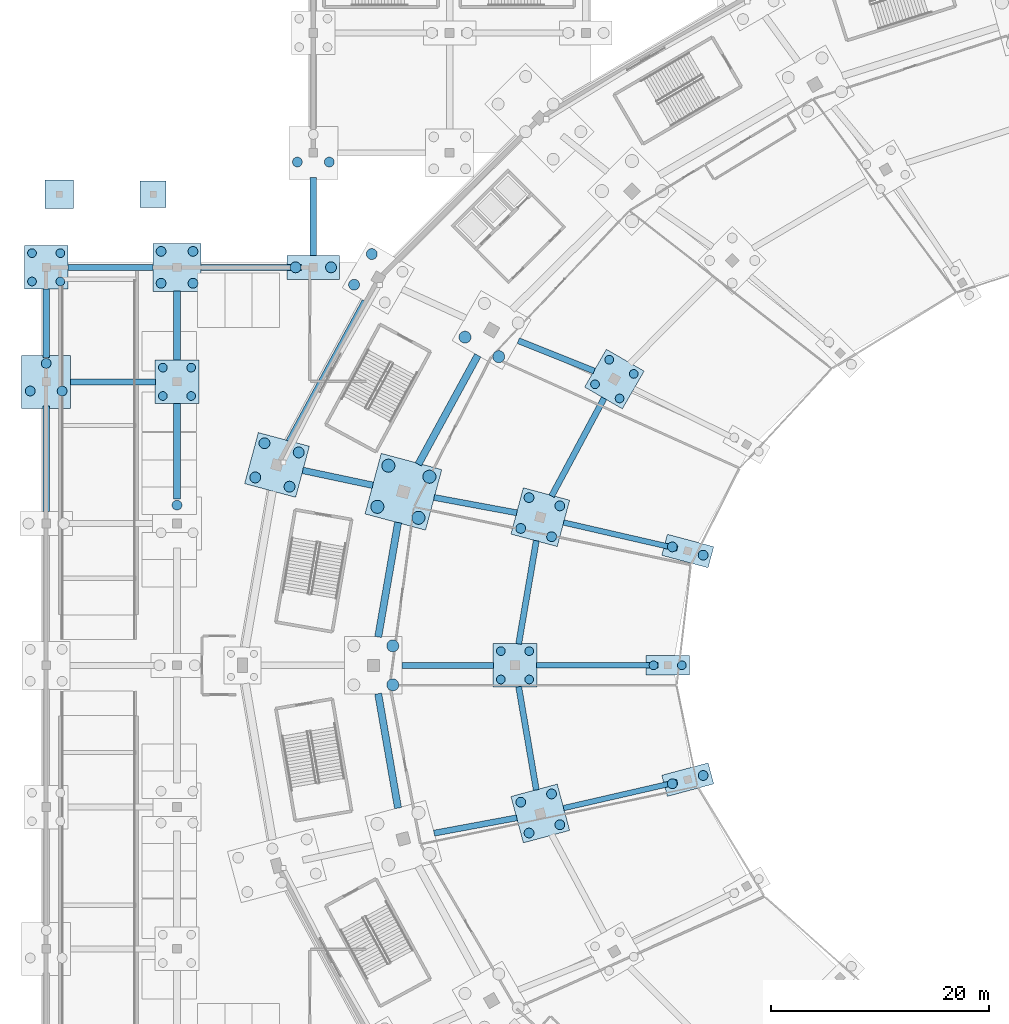
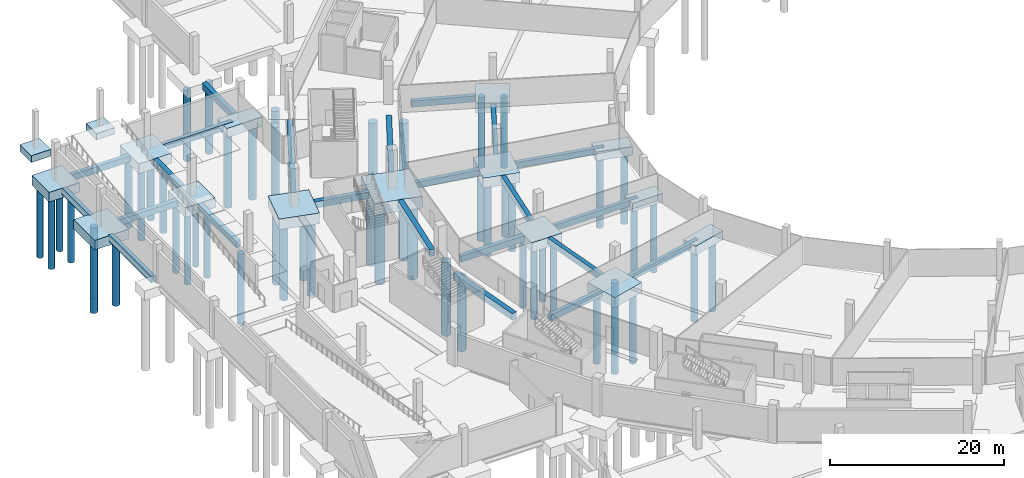
# One storey, part 4 of 74: 56 piles, 39 footings.
"""IFC4 building model written with IfcOpenShell, lengths in metres."""

from ifc_helpers import new_model, si_unit, direction, frame, origin, origin_2d, place, context, subcontext, project, spatial, polyline, rectangle, circle, outline, extrude, material, material_profile, profile_set, type_object, element, save


model = new_model("IFC4")

# Units and contexts
model_context = context("Model", 3, precision=1e-05, world=origin(), true_north=direction((0.0, 1.0)))
body_context = subcontext(model_context, "Body", "Model", "MODEL_VIEW")
ifc_project = project(units=[si_unit("LENGTHUNIT", "METRE"), si_unit("AREAUNIT", "SQUARE_METRE"), si_unit("VOLUMEUNIT", "CUBIC_METRE"), si_unit("PLANEANGLEUNIT", "RADIAN"), si_unit("MASSUNIT", "GRAM", prefix="KILO")], contexts=[model_context])

# Site, building, storey
site_placement = place(None, origin())
site = spatial("IfcSite", under=ifc_project, at=site_placement, CompositionType="ELEMENT")
building_placement = place(site_placement, origin())
building = spatial("IfcBuilding", under=site, at=building_placement, Name="Zlatoyarsky Gate Stadium", CompositionType="ELEMENT")
storey_placement = place(building_placement, frame((0.0, 0.0, -5.39990234375)))
storey = spatial("IfcBuildingStorey", under=building, at=storey_placement, Name="B1", CompositionType="ELEMENT", Elevation=-5.39990234375)

# Piles
ifc_material = material(Name="Concrete C35/45", Category="concrete")
ifc_material_profile_1 = material_profile(ifc_material, circle(Radius=0.5, at=origin_2d()), Name="BORED PILE D1000")
ifc_profile_set_1 = profile_set([ifc_material_profile_1], Name="Concrete C35/45")
pile_type_1 = type_object("IfcPileType", Name="CONCRETE BORED PILE D1000", PredefinedType="BORED", material=ifc_profile_set_1)
for number, where, z_axis, x_axis, name in (
    (1, (29.86474609375, 117.7197265625, -1.400146484375), (0.0, 0.0, -1.0), (1.0, 0.0, 0.0), "Pile 2 under RC-10"),
    (2, (28.23974609375, 114.9052734375, -1.400146484375), (0.0, 0.0, -1.0), (1.0, 0.0, 0.0), "Pile 4 under RC-10"),
    (3, (23.1591796875, 99.525146484375, -1.400146484375), (0.0, 0.0, -1.0), (1.0, 0.0, 0.0), "Pile 1 under RC-11"),
    (4, (20.02001953125, 100.366455078125, -1.400146484375), (0.0, 0.0, -1.0), (1.0, 0.0, 0.0), "Pile 2 under RC-11"),
    (5, (22.31787109375, 96.385986328125, -1.400146484375), (0.0, 0.0, -1.0), (1.0, 0.0, 0.0), "Pile 3 under RC-11"),
    (6, (19.1787109375, 97.227294921875, -1.400146484375), (0.0, 0.0, -1.0), (1.0, 0.0, 0.0), "Pile 4 under RC-11"),
):
    element("IfcPile", number, at=place(storey_placement, frame(where, z_axis=z_axis, x_axis=x_axis)), inside=storey, type_object=pile_type_1, Name=name, PredefinedType="BORED", context=body_context, shape_type="SweptSolid", body=[
        extrude(circle(Radius=0.5, at=origin_2d()), origin(), (0.0, 0.0, 1.0), 10.39990234375),
    ])
for number, where, z_axis, x_axis, name in (
    (7, (22.875, 116.5, -1.2001953125), (0.0, 0.0, -1.0), (1.0, 0.0, 0.0), "Pile 1 under WG-3-L"),
    (8, (26.125, 116.5, -1.2001953125), (0.0, 0.0, -1.0), (1.0, 0.0, 0.0), "Pile 2 under WG-3-L"),
):
    element("IfcPile", number, at=place(storey_placement, frame(where, z_axis=z_axis, x_axis=x_axis)), inside=storey, type_object=pile_type_1, Name=name, PredefinedType="BORED", context=body_context, shape_type="SweptSolid", body=[
        extrude(circle(Radius=0.5, at=origin_2d()), origin(), (0.0, 0.0, 1.0), 10.60009765625),
    ])
ifc_material_profile_2 = material_profile(ifc_material, circle(Radius=0.550048828125, at=origin_2d()), Name="BORED PILE D1100")
ifc_profile_set_2 = profile_set([ifc_material_profile_2], Name="Concrete C35/45")
pile_type_2 = type_object("IfcPileType", Name="CONCRETE BORED PILE D1100", PredefinedType="BORED", material=ifc_profile_set_2)
for number, where, z_axis, x_axis, name in (
    (9, (41.506103515625, 108.30810546875, -1.4501953125), (0.0, 0.0, -1.0), (1.0, 0.0, 0.0), "Pile 3 under RB-10"),
    (10, (38.41015625, 110.095703125, -1.4501953125), (0.0, 0.0, -1.0), (1.0, 0.0, 0.0), "Pile 4 under RB-10"),
    (11, (31.78759765625, 81.78759765625, -1.4501953125), (0.0, 0.0, -1.0), (1.0, 0.0, 0.0), "Pile 1 under RB-12"),
    (12, (31.78759765625, 78.21240234375, -1.4501953125), (0.0, 0.0, -1.0), (1.0, 0.0, 0.0), "Pile 3 under RB-12"),
):
    element("IfcPile", number, at=place(storey_placement, frame(where, z_axis=z_axis, x_axis=x_axis)), inside=storey, type_object=pile_type_2, Name=name, PredefinedType="BORED", context=body_context, shape_type="SweptSolid", body=[
        extrude(circle(Radius=0.550048828125, at=origin_2d()), origin(), (0.0, 0.0, 1.0), 10.35009765625),
    ])
ifc_material_profile_3 = material_profile(ifc_material, circle(Radius=0.60009765625, at=origin_2d()), Name="BORED PILE D1200")
ifc_profile_set_3 = profile_set([ifc_material_profile_3], Name="Concrete C35/45")
pile_type_3 = type_object("IfcPileType", Name="CONCRETE BORED PILE D1200", PredefinedType="BORED", material=ifc_profile_set_3)
for number, where, z_axis, x_axis, name in (
    (13, (35.148193359375, 97.29638671875, -1.550048828125), (0.0, 0.0, -1.0), (1.0, 0.0, 0.0), "Pile 1 under RB-11"),
    (14, (31.381103515625, 98.3056640625, -1.550048828125), (0.0, 0.0, -1.0), (1.0, 0.0, 0.0), "Pile 2 under RB-11"),
    (15, (34.138916015625, 93.529052734375, -1.550048828125), (0.0, 0.0, -1.0), (1.0, 0.0, 0.0), "Pile 3 under RB-11"),
    (16, (30.37158203125, 94.53857421875, -1.550048828125), (0.0, 0.0, -1.0), (1.0, 0.0, 0.0), "Pile 4 under RB-11"),
):
    element("IfcPile", number, at=place(storey_placement, frame(where, z_axis=z_axis, x_axis=x_axis)), inside=storey, type_object=pile_type_3, Name=name, PredefinedType="BORED", context=body_context, shape_type="SweptSolid", body=[
        extrude(circle(Radius=0.60009765625, at=origin_2d()), origin(), (0.0, 0.0, 1.0), 10.25),
    ])
ifc_material_profile_4 = material_profile(ifc_material, circle(Radius=0.39990234375, at=origin_2d()), Name="BORED PILE D800")
ifc_profile_set_4 = profile_set([ifc_material_profile_4], Name="Concrete C35/45")
pile_type_4 = type_object("IfcPileType", Name="CONCRETE BORED PILE D800", PredefinedType="BORED", material=ifc_profile_set_4)
for number, where, z_axis, x_axis, name in (
    (17, (58.300048828125, 80.0, -1.10009765625), (0.0, 0.0, -1.0), (1.0, 0.0, 0.0), "Pile 1 under R0-12"),
    (18, (55.699951171875, 80.0, -1.10009765625), (0.0, 0.0, -1.0), (1.0, 0.0, 0.0), "Pile 2 under R0-12"),
):
    element("IfcPile", number, at=place(storey_placement, frame(where, z_axis=z_axis, x_axis=x_axis)), inside=storey, type_object=pile_type_4, Name=name, PredefinedType="BORED", context=body_context, shape_type="SweptSolid", body=[
        extrude(circle(Radius=0.39990234375, at=origin_2d()), origin(), (0.0, 0.0, 1.0), 10.10009765625),
    ])
for number, where, z_axis, x_axis, name in (
    (19, (53.885986328125, 106.725830078125, -1.25), (0.0, 0.0, -1.0), (1.0, 0.0, 0.0), "Pile 1 under RA-10"),
    (20, (51.634521484375, 108.02587890625, -1.25), (0.0, 0.0, -1.0), (1.0, 0.0, 0.0), "Pile 2 under RA-10"),
    (21, (52.586181640625, 104.47412109375, -1.25), (0.0, 0.0, -1.0), (1.0, 0.0, 0.0), "Pile 3 under RA-10"),
    (22, (50.33447265625, 105.774169921875, -1.25), (0.0, 0.0, -1.0), (1.0, 0.0, 0.0), "Pile 4 under RA-10"),
    (23, (44.300048828125, 81.300048828125, -1.25), (0.0, 0.0, -1.0), (1.0, 0.0, 0.0), "Pile 1 under RA-12"),
    (24, (41.699951171875, 81.300048828125, -1.25), (0.0, 0.0, -1.0), (1.0, 0.0, 0.0), "Pile 2 under RA-12"),
    (25, (44.300048828125, 78.699951171875, -1.25), (0.0, 0.0, -1.0), (1.0, 0.0, 0.0), "Pile 3 under RA-12"),
    (26, (41.699951171875, 78.699951171875, -1.25), (0.0, 0.0, -1.0), (1.0, 0.0, 0.0), "Pile 4 under RA-12"),
    (27, (-1.300048828125, 115.199951171875, -1.25), (0.0, 0.0, -1.0), (1.0, 0.0, 0.0), "Pile 1 under WG-1-L"),
    (28, (1.300048828125, 115.199951171875, -1.25), (0.0, 0.0, -1.0), (1.0, 0.0, 0.0), "Pile 2 under WG-1-L"),
    (29, (-1.300048828125, 117.800048828125, -1.25), (0.0, 0.0, -1.0), (1.0, 0.0, 0.0), "Pile 3 under WG-1-L"),
    (30, (1.300048828125, 117.800048828125, -1.25), (0.0, 0.0, -1.0), (1.0, 0.0, 0.0), "Pile 4 under WG-1-L"),
    (31, (10.699951171875, 104.699951171875, -1.25), (0.0, 0.0, -1.0), (1.0, 0.0, 0.0), "Pile 1 under WG-2-K"),
    (32, (13.300048828125, 104.699951171875, -1.25), (0.0, 0.0, -1.0), (1.0, 0.0, 0.0), "Pile 2 under WG-2-K"),
    (33, (10.699951171875, 107.300048828125, -1.25), (0.0, 0.0, -1.0), (1.0, 0.0, 0.0), "Pile 3 under WG-2-K"),
    (34, (13.300048828125, 107.300048828125, -1.25), (0.0, 0.0, -1.0), (1.0, 0.0, 0.0), "Pile 4 under WG-2-K"),
):
    element("IfcPile", number, at=place(storey_placement, frame(where, z_axis=z_axis, x_axis=x_axis)), inside=storey, type_object=pile_type_4, Name=name, PredefinedType="BORED", context=body_context, shape_type="SweptSolid", body=[
        extrude(circle(Radius=0.39990234375, at=origin_2d()), origin(), (0.0, 0.0, 1.0), 9.949951171875),
    ])
ifc_material_profile_5 = material_profile(ifc_material, circle(Radius=0.449951171875, at=origin_2d()), Name="BORED PILE D900")
ifc_profile_set_5 = profile_set([ifc_material_profile_5], Name="Concrete C35/45")
pile_type_5 = type_object("IfcPileType", Name="CONCRETE BORED PILE D900", PredefinedType="BORED", material=ifc_profile_set_5)
for number, where, z_axis, x_axis, name in (
    (35, (60.252685546875, 90.103759765625, -1.150146484375), (0.0, 0.0, -1.0), (1.0, 0.0, 0.0), "Pile 1 under R0-11"),
    (36, (57.42724609375, 90.860595703125, -1.150146484375), (0.0, 0.0, -1.0), (1.0, 0.0, 0.0), "Pile 2 under R0-11"),
    (37, (60.252685546875, 69.896240234375, -1.150146484375), (0.0, 0.0, -1.0), (1.0, 0.0, 0.0), "Pile 1 under R0-13"),
    (38, (57.42724609375, 69.139404296875, -1.150146484375), (0.0, 0.0, -1.0), (1.0, 0.0, 0.0), "Pile 2 under R0-13"),
):
    element("IfcPile", number, at=place(storey_placement, frame(where, z_axis=z_axis, x_axis=x_axis)), inside=storey, type_object=pile_type_5, Name=name, PredefinedType="BORED", context=body_context, shape_type="SweptSolid", body=[
        extrude(circle(Radius=0.449951171875, at=origin_2d()), origin(), (0.0, 0.0, 1.0), 10.050048828125),
    ])
for number, where, z_axis, x_axis, name in (
    (39, (47.108154296875, 94.6220703125, -1.300048828125), (0.0, 0.0, -1.0), (1.0, 0.0, 0.0), "Pile 1 under RA-11"),
    (40, (44.282958984375, 95.379150390625, -1.300048828125), (0.0, 0.0, -1.0), (1.0, 0.0, 0.0), "Pile 2 under RA-11"),
    (41, (46.35107421875, 91.796875, -1.300048828125), (0.0, 0.0, -1.0), (1.0, 0.0, 0.0), "Pile 3 under RA-11"),
    (42, (43.52587890625, 92.553955078125, -1.300048828125), (0.0, 0.0, -1.0), (1.0, 0.0, 0.0), "Pile 4 under RA-11"),
    (43, (46.35107421875, 68.203125, -1.300048828125), (0.0, 0.0, -1.0), (1.0, 0.0, 0.0), "Pile 1 under RA-13"),
    (44, (43.52587890625, 67.446044921875, -1.300048828125), (0.0, 0.0, -1.0), (1.0, 0.0, 0.0), "Pile 2 under RA-13"),
    (45, (47.108154296875, 65.3779296875, -1.300048828125), (0.0, 0.0, -1.0), (1.0, 0.0, 0.0), "Pile 3 under RA-13"),
    (46, (44.282958984375, 64.620849609375, -1.300048828125), (0.0, 0.0, -1.0), (1.0, 0.0, 0.0), "Pile 4 under RA-13"),
):
    element("IfcPile", number, at=place(storey_placement, frame(where, z_axis=z_axis, x_axis=x_axis)), inside=storey, type_object=pile_type_5, Name=name, PredefinedType="BORED", context=body_context, shape_type="SweptSolid", body=[
        extrude(circle(Radius=0.449951171875, at=origin_2d()), origin(), (0.0, 0.0, 1.0), 9.89990234375),
    ])
for number, where, z_axis, x_axis, name in (
    (47, (-1.46240234375, 105.15576171875, -1.25), (0.0, 0.0, -1.0), (1.0, 0.0, 0.0), "Pile 1 under WG-1-K"),
    (48, (1.46240234375, 105.15576171875, -1.25), (0.0, 0.0, -1.0), (1.0, 0.0, 0.0), "Pile 2 under WG-1-K"),
    (49, (0.0, 107.688720703125, -1.25), (0.0, 0.0, -1.0), (1.0, 0.0, 0.0), "Pile 3 under WG-1-K"),
    (50, (12.0, 94.688720703125, -1.25), (0.0, 0.0, -1.0), (1.0, 0.0, 0.0), "Pile 3 under WG-2-J"),
):
    element("IfcPile", number, at=place(storey_placement, frame(where, z_axis=z_axis, x_axis=x_axis)), inside=storey, type_object=pile_type_5, Name=name, PredefinedType="BORED", context=body_context, shape_type="SweptSolid", body=[
        extrude(circle(Radius=0.449951171875, at=origin_2d()), origin(), (0.0, 0.0, 1.0), 9.949951171875),
    ])
for number, where, z_axis, x_axis, name in (
    (51, (10.53759765625, 115.03759765625, -1.300048828125), (0.0, 0.0, -1.0), (1.0, 0.0, 0.0), "Pile 1 under WG-2-L"),
    (52, (13.46240234375, 115.03759765625, -1.300048828125), (0.0, 0.0, -1.0), (1.0, 0.0, 0.0), "Pile 2 under WG-2-L"),
    (53, (10.53759765625, 117.96240234375, -1.300048828125), (0.0, 0.0, -1.0), (1.0, 0.0, 0.0), "Pile 3 under WG-2-L"),
    (54, (13.46240234375, 117.96240234375, -1.300048828125), (0.0, 0.0, -1.0), (1.0, 0.0, 0.0), "Pile 4 under WG-2-L"),
):
    element("IfcPile", number, at=place(storey_placement, frame(where, z_axis=z_axis, x_axis=x_axis)), inside=storey, type_object=pile_type_5, Name=name, PredefinedType="BORED", context=body_context, shape_type="SweptSolid", body=[
        extrude(circle(Radius=0.449951171875, at=origin_2d()), origin(), (0.0, 0.0, 1.0), 9.89990234375),
    ])
for number, where, z_axis, x_axis, name in (
    (55, (23.03759765625, 126.15576171875, -1.25), (0.0, 0.0, -1.0), (1.0, 0.0, 0.0), "Pile 1 under WG-3-M"),
    (56, (25.96240234375, 126.15576171875, -1.25), (0.0, 0.0, -1.0), (1.0, 0.0, 0.0), "Pile 2 under WG-3-M"),
):
    element("IfcPile", number, at=place(storey_placement, frame(where, z_axis=z_axis, x_axis=x_axis)), inside=storey, type_object=pile_type_5, Name=name, PredefinedType="BORED", context=body_context, shape_type="SweptSolid", body=[
        extrude(circle(Radius=0.449951171875, at=origin_2d()), origin(), (0.0, 0.0, 1.0), 9.949951171875),
    ])

# Footings
ifc_material_profile_6 = material_profile(ifc_material, rectangle(XDim=0.5, YDim=0.800048828125, at=origin_2d()), Name="GB 500X800")
ifc_profile_set_6 = profile_set([ifc_material_profile_6], Name="Concrete C35/45")
footing_type_1 = type_object("IfcFootingType", Name="CONCRETE GROUND TIE BEAM 500X800", PredefinedType="STRIP_FOOTING", material=ifc_profile_set_6)
footing_1_placement = place(storey_placement, frame((0.0, 0.0, -0.800048828125)))
element("IfcFooting", 57, at=footing_1_placement, inside=storey, type_object=footing_type_1, Name="Ground tie beam GB-01 R0-11 to RA-11", PredefinedType="STRIP_FOOTING", context=body_context, shape_type="SweptSolid", body=[
    extrude(outline(polyline([(57.93115234375, 90.947509765625), (47.50732421875, 93.341552734375), (47.3955078125, 92.854248046875), (57.819091796875, 90.460205078125), (57.93115234375, 90.947509765625)])), origin(), (0.0, 0.0, 1.0), 0.800048828125),
])
footing_2_placement = place(storey_placement, frame((0.0, 0.0, -0.800048828125)))
element("IfcFooting", 58, at=footing_2_placement, inside=storey, type_object=footing_type_1, Name="Ground tie beam GB-01 R0-12 to RA-12", PredefinedType="STRIP_FOOTING", context=body_context, shape_type="SweptSolid", body=[
    extrude(outline(polyline([(56.110107421875, 80.25), (44.989990234375, 80.25), (44.989990234375, 79.75), (56.110107421875, 79.75), (56.110107421875, 80.25)])), origin(), (0.0, 0.0, 1.0), 0.800048828125),
])
footing_3_placement = place(storey_placement, frame((0.0, 0.0, -0.800048828125)))
element("IfcFooting", 59, at=footing_3_placement, inside=storey, type_object=footing_type_1, Name="Ground tie beam GB-01 R0-13 to RA-13", PredefinedType="STRIP_FOOTING", context=body_context, shape_type="SweptSolid", body=[
    extrude(outline(polyline([(57.819091796875, 69.539794921875), (47.3955078125, 67.145751953125), (47.50732421875, 66.658447265625), (57.93115234375, 69.052490234375), (57.819091796875, 69.539794921875)])), origin(), (0.0, 0.0, 1.0), 0.800048828125),
])
ifc_material_profile_7 = material_profile(ifc_material, rectangle(XDim=0.550048828125, YDim=0.85009765625, at=origin_2d()), Name="GB 550X850")
ifc_profile_set_7 = profile_set([ifc_material_profile_7], Name="Concrete C35/45")
footing_type_2 = type_object("IfcFootingType", Name="CONCRETE GROUND TIE BEAM 550X850", PredefinedType="STRIP_FOOTING", material=ifc_profile_set_7)
footing_4_placement = place(storey_placement, frame((0.0, 0.0, -0.85009765625)))
element("IfcFooting", 60, at=footing_4_placement, inside=storey, type_object=footing_type_2, Name="Ground tie beam GB-02 RA-10 to RB-10", PredefinedType="STRIP_FOOTING", context=body_context, shape_type="SweptSolid", body=[
    extrude(outline(polyline([(50.364501953125, 107.243896484375), (43.4052734375, 110.025634765625), (43.201171875, 109.514892578125), (50.160400390625, 106.733154296875), (50.364501953125, 107.243896484375)])), origin(), (0.0, 0.0, 1.0), 0.85009765625),
])
footing_5_placement = place(storey_placement, frame((0.0, 0.0, -0.85009765625)))
element("IfcFooting", 61, at=footing_5_placement, inside=storey, type_object=footing_type_2, Name="Ground tie beam GB-02 RA-10 to RA-11", PredefinedType="STRIP_FOOTING", context=body_context, shape_type="SweptSolid", body=[
    extrude(outline(polyline([(50.92724609375, 104.62646484375), (46.110107421875, 95.647705078125), (46.5947265625, 95.3876953125), (51.411865234375, 104.366455078125), (50.92724609375, 104.62646484375)])), origin(), (0.0, 0.0, 1.0), 0.85009765625),
])
footing_6_placement = place(storey_placement, frame((0.0, 0.0, -0.85009765625)))
element("IfcFooting", 62, at=footing_6_placement, inside=storey, type_object=footing_type_2, Name="Ground tie beam GB-02 RA-11 to RB-11", PredefinedType="STRIP_FOOTING", context=body_context, shape_type="SweptSolid", body=[
    extrude(outline(polyline([(43.2138671875, 94.2578125), (35.626953125, 95.665283203125), (35.52685546875, 95.12451171875), (43.113525390625, 93.717041015625), (43.2138671875, 94.2578125)])), origin(), (0.0, 0.0, 1.0), 0.85009765625),
])
footing_7_placement = place(storey_placement, frame((0.0, 0.0, -0.85009765625)))
element("IfcFooting", 63, at=footing_7_placement, inside=storey, type_object=footing_type_2, Name="Ground tie beam GB-02 RA-11 to RA-12", PredefinedType="STRIP_FOOTING", context=body_context, shape_type="SweptSolid", body=[
    extrude(outline(polyline([(44.677734375, 91.475341796875), (43.0634765625, 82.0078125), (43.60546875, 81.91552734375), (45.219970703125, 91.383056640625), (44.677734375, 91.475341796875)])), origin(), (0.0, 0.0, 1.0), 0.85009765625),
])
footing_8_placement = place(storey_placement, frame((0.0, 0.0, -0.85009765625)))
element("IfcFooting", 64, at=footing_8_placement, inside=storey, type_object=footing_type_2, Name="Ground tie beam GB-02 RA-12 to RB-12", PredefinedType="STRIP_FOOTING", context=body_context, shape_type="SweptSolid", body=[
    extrude(outline(polyline([(41.010009765625, 80.27490234375), (32.639892578125, 80.27490234375), (32.639892578125, 79.72509765625), (41.010009765625, 79.72509765625), (41.010009765625, 80.27490234375)])), origin(), (0.0, 0.0, 1.0), 0.85009765625),
])
footing_9_placement = place(storey_placement, frame((0.0, 0.0, -0.85009765625)))
element("IfcFooting", 65, at=footing_9_placement, inside=storey, type_object=footing_type_2, Name="Ground tie beam GB-02 RA-12 to RA-13", PredefinedType="STRIP_FOOTING", context=body_context, shape_type="SweptSolid", body=[
    extrude(outline(polyline([(43.0634765625, 77.9921875), (44.677734375, 68.524658203125), (45.219970703125, 68.616943359375), (43.60546875, 78.08447265625), (43.0634765625, 77.9921875)])), origin(), (0.0, 0.0, 1.0), 0.85009765625),
])
footing_10_placement = place(storey_placement, frame((0.0, 0.0, -0.85009765625)))
element("IfcFooting", 66, at=footing_10_placement, inside=storey, type_object=footing_type_2, Name="Ground tie beam GB-02 RA-13 to RB-13", PredefinedType="STRIP_FOOTING", context=body_context, shape_type="SweptSolid", body=[
    extrude(outline(polyline([(43.113525390625, 66.282958984375), (35.52685546875, 64.87548828125), (35.626953125, 64.334716796875), (43.2138671875, 65.7421875), (43.113525390625, 66.282958984375)])), origin(), (0.0, 0.0, 1.0), 0.85009765625),
])
footing_11_placement = place(storey_placement, frame((0.0, 0.0, -0.85009765625)))
element("IfcFooting", 67, at=footing_11_placement, inside=storey, type_object=footing_type_2, Name="Ground tie beam GB-02 WG-1-K to WG-2-K", PredefinedType="STRIP_FOOTING", context=body_context, shape_type="SweptSolid", body=[
    extrude(outline(polyline([(2.239990234375, 105.72509765625), (10.010009765625, 105.72509765625), (10.010009765625, 106.27490234375), (2.239990234375, 106.27490234375), (2.239990234375, 105.72509765625)])), origin(), (0.0, 0.0, 1.0), 0.85009765625),
])
footing_12_placement = place(storey_placement, frame((0.0, 0.0, -0.85009765625)))
element("IfcFooting", 68, at=footing_12_placement, inside=storey, type_object=footing_type_2, Name="Ground tie beam GB-02 WG-1-L to WG-2-L", PredefinedType="STRIP_FOOTING", context=body_context, shape_type="SweptSolid", body=[
    extrude(outline(polyline([(1.989990234375, 116.22509765625), (9.81005859375, 116.22509765625), (9.81005859375, 116.77490234375), (1.989990234375, 116.77490234375), (1.989990234375, 116.22509765625)])), origin(), (0.0, 0.0, 1.0), 0.85009765625),
])
footing_13_placement = place(storey_placement, frame((0.0, 0.0, -0.85009765625)))
element("IfcFooting", 69, at=footing_13_placement, inside=storey, type_object=footing_type_2, Name="Ground tie beam GB-02 WG-2-L to WG-3-L", PredefinedType="STRIP_FOOTING", context=body_context, shape_type="SweptSolid", body=[
    extrude(outline(polyline([(14.18994140625, 116.22509765625), (23.409912109375, 116.22509765625), (23.409912109375, 116.77490234375), (14.18994140625, 116.77490234375), (14.18994140625, 116.22509765625)])), origin(), (0.0, 0.0, 1.0), 0.85009765625),
])
ifc_material_profile_8 = material_profile(ifc_material, rectangle(XDim=0.60009765625, YDim=0.89990234375, at=origin_2d()), Name="GB 600X900")
ifc_profile_set_8 = profile_set([ifc_material_profile_8], Name="Concrete C35/45")
footing_type_3 = type_object("IfcFootingType", Name="CONCRETE GROUND TIE BEAM 600X900", PredefinedType="STRIP_FOOTING", material=ifc_profile_set_8)
footing_14_placement = place(storey_placement, frame((0.0, 0.0, -0.900146484375)))
element("IfcFooting", 70, at=footing_14_placement, inside=storey, type_object=footing_type_3, Name="Ground tie beam GB-03 RB-11 to RC-11", PredefinedType="STRIP_FOOTING", context=body_context, shape_type="SweptSolid", body=[
    extrude(outline(polyline([(30.01953125, 96.805419921875), (23.593505859375, 98.16845703125), (23.468994140625, 97.58154296875), (29.895263671875, 96.218505859375), (30.01953125, 96.805419921875)])), origin(), (0.0, 0.0, 1.0), 0.900146484375),
])
footing_15_placement = place(storey_placement, frame((0.0, 0.0, -0.900146484375)))
element("IfcFooting", 71, at=footing_15_placement, inside=storey, type_object=footing_type_3, Name="Ground tie beam GB-03 WG-1-J to WG-1-K", PredefinedType="STRIP_FOOTING", context=body_context, shape_type="SweptSolid", body=[
    extrude(outline(polyline([(0.300048828125, 94.090087890625), (0.300048828125, 103.760009765625), (-0.300048828125, 103.760009765625), (-0.300048828125, 94.090087890625), (0.300048828125, 94.090087890625)])), origin(), (0.0, 0.0, 1.0), 0.900146484375),
])
footing_16_placement = place(storey_placement, frame((0.0, 0.0, -0.900146484375)))
element("IfcFooting", 72, at=footing_16_placement, inside=storey, type_object=footing_type_3, Name="Ground tie beam GB-03 WG-1-K to WG-1-L", PredefinedType="STRIP_FOOTING", context=body_context, shape_type="SweptSolid", body=[
    extrude(outline(polyline([(0.300048828125, 108.239990234375), (0.300048828125, 114.510009765625), (-0.300048828125, 114.510009765625), (-0.300048828125, 108.239990234375), (0.300048828125, 108.239990234375)])), origin(), (0.0, 0.0, 1.0), 0.900146484375),
])
footing_17_placement = place(storey_placement, frame((0.0, 0.0, -0.900146484375)))
element("IfcFooting", 73, at=footing_17_placement, inside=storey, type_object=footing_type_3, Name="Ground tie beam GB-03 WG-2-J to WG-2-K", PredefinedType="STRIP_FOOTING", context=body_context, shape_type="SweptSolid", body=[
    extrude(outline(polyline([(12.300048828125, 95.239990234375), (12.300048828125, 104.010009765625), (11.699951171875, 104.010009765625), (11.699951171875, 95.239990234375), (12.300048828125, 95.239990234375)])), origin(), (0.0, 0.0, 1.0), 0.900146484375),
])
footing_18_placement = place(storey_placement, frame((0.0, 0.0, -0.900146484375)))
element("IfcFooting", 74, at=footing_18_placement, inside=storey, type_object=footing_type_3, Name="Ground tie beam GB-03 WG-2-K to WG-2-L", PredefinedType="STRIP_FOOTING", context=body_context, shape_type="SweptSolid", body=[
    extrude(outline(polyline([(12.300048828125, 107.989990234375), (12.300048828125, 114.31005859375), (11.699951171875, 114.31005859375), (11.699951171875, 107.989990234375), (12.300048828125, 107.989990234375)])), origin(), (0.0, 0.0, 1.0), 0.900146484375),
])
footing_19_placement = place(storey_placement, frame((0.0, 0.0, -0.900146484375)))
element("IfcFooting", 75, at=footing_19_placement, inside=storey, type_object=footing_type_3, Name="Ground tie beam GB-03 WG-3-L to WG-3-M", PredefinedType="STRIP_FOOTING", context=body_context, shape_type="SweptSolid", body=[
    extrude(outline(polyline([(24.800048828125, 117.590087890625), (24.800048828125, 124.760009765625), (24.199951171875, 124.760009765625), (24.199951171875, 117.590087890625), (24.800048828125, 117.590087890625)])), origin(), (0.0, 0.0, 1.0), 0.900146484375),
])
ifc_material_profile_9 = material_profile(ifc_material, rectangle(XDim=0.64990234375, YDim=0.949951171875, at=origin_2d()), Name="GB 650X950")
ifc_profile_set_9 = profile_set([ifc_material_profile_9], Name="Concrete C35/45")
footing_type_4 = type_object("IfcFootingType", Name="CONCRETE GROUND TIE BEAM 650X950", PredefinedType="STRIP_FOOTING", material=ifc_profile_set_9)
footing_20_placement = place(storey_placement, frame((0.0, 0.0, -0.9501953125)))
element("IfcFooting", 76, at=footing_20_placement, inside=storey, type_object=footing_type_4, Name="Ground tie beam GB-04 RB-10 to RB-11", PredefinedType="STRIP_FOOTING", context=body_context, shape_type="SweptSolid", body=[
    extrude(outline(polyline([(39.30224609375, 108.588134765625), (33.8466796875, 98.588134765625), (34.41748046875, 98.27685546875), (39.872802734375, 108.27685546875), (39.30224609375, 108.588134765625)])), origin(), (0.0, 0.0, 1.0), 0.9501953125),
])
footing_21_placement = place(storey_placement, frame((0.0, 0.0, -0.9501953125)))
element("IfcFooting", 77, at=footing_21_placement, inside=storey, type_object=footing_type_4, Name="Ground tie beam GB-04 RB-11 to RB-12", PredefinedType="STRIP_FOOTING", context=body_context, shape_type="SweptSolid", body=[
    extrude(outline(polyline([(31.9501953125, 93.150146484375), (30.130859375, 82.65673828125), (30.771240234375, 82.545654296875), (32.5908203125, 93.0390625), (31.9501953125, 93.150146484375)])), origin(), (0.0, 0.0, 1.0), 0.9501953125),
])
footing_22_placement = place(storey_placement, frame((0.0, 0.0, -0.9501953125)))
element("IfcFooting", 78, at=footing_22_placement, inside=storey, type_object=footing_type_4, Name="Ground tie beam GB-04 RB-12 to RB-13", PredefinedType="STRIP_FOOTING", context=body_context, shape_type="SweptSolid", body=[
    extrude(outline(polyline([(30.130859375, 77.34326171875), (31.9501953125, 66.849853515625), (32.5908203125, 66.9609375), (30.771240234375, 77.454345703125), (30.130859375, 77.34326171875)])), origin(), (0.0, 0.0, 1.0), 0.9501953125),
])
ifc_material_profile_10 = material_profile(ifc_material, rectangle(XDim=0.699951171875, YDim=1.0, at=origin_2d()), Name="GB 700X1000")
ifc_profile_set_10 = profile_set([ifc_material_profile_10], Name="Concrete C35/45")
footing_type_5 = type_object("IfcFootingType", Name="CONCRETE GROUND TIE BEAM 700X1000", PredefinedType="STRIP_FOOTING", material=ifc_profile_set_10)
footing_23_placement = place(storey_placement, frame((0.0, 0.0, -1.0)))
element("IfcFooting", 79, at=footing_23_placement, inside=storey, type_object=footing_type_5, Name="Ground tie beam GB-05 RC-10 to RC-11", PredefinedType="STRIP_FOOTING", context=body_context, shape_type="SweptSolid", body=[
    extrude(outline(polyline([(29.000244140625, 113.544189453125), (22.012939453125, 100.665771484375), (22.628173828125, 100.33203125), (29.615478515625, 113.21044921875), (29.000244140625, 113.544189453125)])), origin(), (0.0, 0.0, 1.0), 1.0),
])
footing_type_6 = type_object("IfcFootingType", Name="CONCRETE PAD FOOTING 2400X2400X900", PredefinedType="PAD_FOOTING", material=ifc_material)
footing_24_placement = place(storey_placement, frame((9.800048828125, 123.199951171875, -0.900146484375), z_axis=(0.0, 0.0, 1.0), x_axis=(1.0, 0.0, 0.0)))
element("IfcFooting", 80, at=footing_24_placement, inside=storey, type_object=footing_type_6, Name="Pad footing PF-01 at APR-N3", PredefinedType="PAD_FOOTING", context=body_context, shape_type="SweptSolid", body=[
    extrude(rectangle(XDim=2.39990234375, YDim=2.39990234375, at=origin_2d()), origin(), (0.0, 0.0, 1.0), 0.89990234375),
])
footing_type_7 = type_object("IfcFootingType", Name="CONCRETE PAD FOOTING 2600X2600X950", PredefinedType="PAD_FOOTING", material=ifc_material)
footing_25_placement = place(storey_placement, frame((1.199951171875, 123.199951171875, -0.9501953125), z_axis=(0.0, 0.0, 1.0), x_axis=(1.0, 0.0, 0.0)))
element("IfcFooting", 81, at=footing_25_placement, inside=storey, type_object=footing_type_7, Name="Pad footing PF-02 at APR-N4", PredefinedType="PAD_FOOTING", context=body_context, shape_type="SweptSolid", body=[
    extrude(rectangle(XDim=2.60009765625, YDim=2.60009765625, at=origin_2d()), origin(), (0.0, 0.0, 1.0), 0.949951171875),
])
footing_type_8 = type_object("IfcFootingType", Name="CONCRETE PILE CAP 4000X1800X1200", PredefinedType="PILE_CAP", material=ifc_material)
footing_26_placement = place(storey_placement, frame((57.0, 80.0, -1.2001953125), z_axis=(0.0, 0.0, 1.0), x_axis=(-1.0, 0.0, 0.0)))
element("IfcFooting", 82, at=footing_26_placement, inside=storey, type_object=footing_type_8, Name="Pile cap PC-01 at R0-12", PredefinedType="PILE_CAP", context=body_context, shape_type="SweptSolid", body=[
    extrude(rectangle(XDim=4.0, YDim=1.800048828125, at=origin_2d()), origin(), (0.0, 0.0, 1.0), 1.199951171875),
])
footing_type_9 = type_object("IfcFootingType", Name="CONCRETE PILE CAP 4000X4000X1350", PredefinedType="PILE_CAP", material=ifc_material)
for number, where, z_axis, x_axis, name in (
    (83, (52.1103515625, 106.25, -1.35009765625), (0.0, 0.0, 1.0), (-0.866025403784, 0.5, 0.0), "Pile cap PC-05 at RA-10"),
    (84, (43.0, 80.0, -1.35009765625), (0.0, 0.0, 1.0), (-1.0, 0.0, 0.0), "Pile cap PC-05 at RA-12"),
    (85, (0.0, 116.5, -1.35009765625), (0.0, 0.0, 1.0), (1.0, 0.0, 0.0), "Pile cap PC-05 at WG-1-L"),
    (86, (12.0, 106.0, -1.35009765625), (0.0, 0.0, 1.0), (1.0, 0.0, 0.0), "Pile cap PC-05 at WG-2-K"),
):
    element("IfcFooting", number, at=place(storey_placement, frame(where, z_axis=z_axis, x_axis=x_axis)), inside=storey, type_object=footing_type_9, Name=name, PredefinedType="PILE_CAP", context=body_context, shape_type="SweptSolid", body=[
        extrude(rectangle(XDim=4.0, YDim=4.0, at=origin_2d()), origin(), (0.0, 0.0, 1.0), 1.35009765625),
    ])
footing_type_10 = type_object("IfcFootingType", Name="CONCRETE PILE CAP 4400X2000X1250", PredefinedType="PILE_CAP", material=ifc_material)
for number, where, z_axis, x_axis, name in (
    (87, (58.840087890625, 90.482177734375, -1.25), (0.0, 0.0, 1.0), (-0.965925826289, 0.258819045103, 0.0), "Pile cap PC-02 at R0-11"),
    (88, (58.840087890625, 69.517822265625, -1.25), (0.0, 0.0, 1.0), (-0.965925826289, -0.258819045103, 0.0), "Pile cap PC-02 at R0-13"),
):
    element("IfcFooting", number, at=place(storey_placement, frame(where, z_axis=z_axis, x_axis=x_axis)), inside=storey, type_object=footing_type_10, Name=name, PredefinedType="PILE_CAP", context=body_context, shape_type="SweptSolid", body=[
        extrude(rectangle(XDim=4.39990234375, YDim=2.0, at=origin_2d()), origin(), (0.0, 0.0, 1.0), 1.25),
    ])
footing_type_11 = type_object("IfcFootingType", Name="CONCRETE PILE CAP 4400X4400X1400", PredefinedType="PILE_CAP", material=ifc_material)
for number, where, z_axis, x_axis, name in (
    (89, (45.31689453125, 93.587890625, -1.400146484375), (0.0, 0.0, 1.0), (-0.965925826289, 0.258819045103, 0.0), "Pile cap PC-06 at RA-11"),
    (90, (45.31689453125, 66.412109375, -1.400146484375), (0.0, 0.0, 1.0), (-0.965925826289, -0.258819045103, 0.0), "Pile cap PC-06 at RA-13"),
    (91, (12.0, 116.5, -1.400146484375), (0.0, 0.0, 1.0), (1.0, 0.0, 0.0), "Pile cap PC-06 at WG-2-L"),
):
    element("IfcFooting", number, at=place(storey_placement, frame(where, z_axis=z_axis, x_axis=x_axis)), inside=storey, type_object=footing_type_11, Name=name, PredefinedType="PILE_CAP", context=body_context, shape_type="SweptSolid", body=[
        extrude(rectangle(XDim=4.39990234375, YDim=4.39990234375, at=origin_2d()), origin(), (0.0, 0.0, 1.0), 1.39990234375),
    ])
footing_type_12 = type_object("IfcFootingType", Name="CONCRETE PILE CAP 4500X4850X1350", PredefinedType="PILE_CAP", material=ifc_material)
footing_27_placement = place(storey_placement, frame((0.0, 106.0, -1.35009765625), z_axis=(0.0, 0.0, 1.0), x_axis=(1.0, 0.0, 0.0)))
element("IfcFooting", 92, at=footing_27_placement, inside=storey, type_object=footing_type_12, Name="Pile cap PC-04 at WG-1-K", PredefinedType="PILE_CAP", context=body_context, shape_type="SweptSolid", body=[
    extrude(rectangle(XDim=4.5, YDim=4.85009765625, at=origin_2d()), origin(), (0.0, 0.0, 1.0), 1.35009765625),
])
footing_type_13 = type_object("IfcFootingType", Name="CONCRETE PILE CAP 4800X2200X1300", PredefinedType="PILE_CAP", material=ifc_material)
footing_28_placement = place(storey_placement, frame((24.5, 116.5, -1.30029296875), z_axis=(0.0, 0.0, 1.0), x_axis=(1.0, 0.0, 0.0)))
element("IfcFooting", 93, at=footing_28_placement, inside=storey, type_object=footing_type_13, Name="Pile cap PC-03 at WG-3-L", PredefinedType="PILE_CAP", context=body_context, shape_type="SweptSolid", body=[
    extrude(rectangle(XDim=4.800048828125, YDim=2.199951171875, at=origin_2d()), origin(), (0.0, 0.0, 1.0), 1.300048828125),
])
footing_type_14 = type_object("IfcFootingType", Name="CONCRETE PILE CAP 4850X4850X1500", PredefinedType="PILE_CAP", material=ifc_material)
footing_29_placement = place(storey_placement, frame((21.1689453125, 98.376220703125, -1.5), z_axis=(0.0, 0.0, 1.0), x_axis=(-0.965925826289, 0.258819045103, 0.0)))
element("IfcFooting", 94, at=footing_29_placement, inside=storey, type_object=footing_type_14, Name="Pile cap PC-07 at RC-11", PredefinedType="PILE_CAP", context=body_context, shape_type="SweptSolid", body=[
    extrude(rectangle(XDim=4.85009765625, YDim=4.85009765625, at=origin_2d()), origin(), (0.0, 0.0, 1.0), 1.5),
])
footing_type_15 = type_object("IfcFootingType", Name="CONCRETE PILE CAP 5750X5750X1650", PredefinedType="PILE_CAP", material=ifc_material)
footing_30_placement = place(storey_placement, frame((32.760009765625, 95.91748046875, -1.650146484375), z_axis=(0.0, 0.0, 1.0), x_axis=(-0.965925826289, 0.258819045103, 0.0)))
element("IfcFooting", 95, at=footing_30_placement, inside=storey, type_object=footing_type_15, Name="Pile cap PC-09 at RB-11", PredefinedType="PILE_CAP", context=body_context, shape_type="SweptSolid", body=[
    extrude(rectangle(XDim=5.75, YDim=5.75, at=origin_2d()), origin(), (0.0, 0.0, 1.0), 1.64990234375),
])

save(model, "model.ifc")
